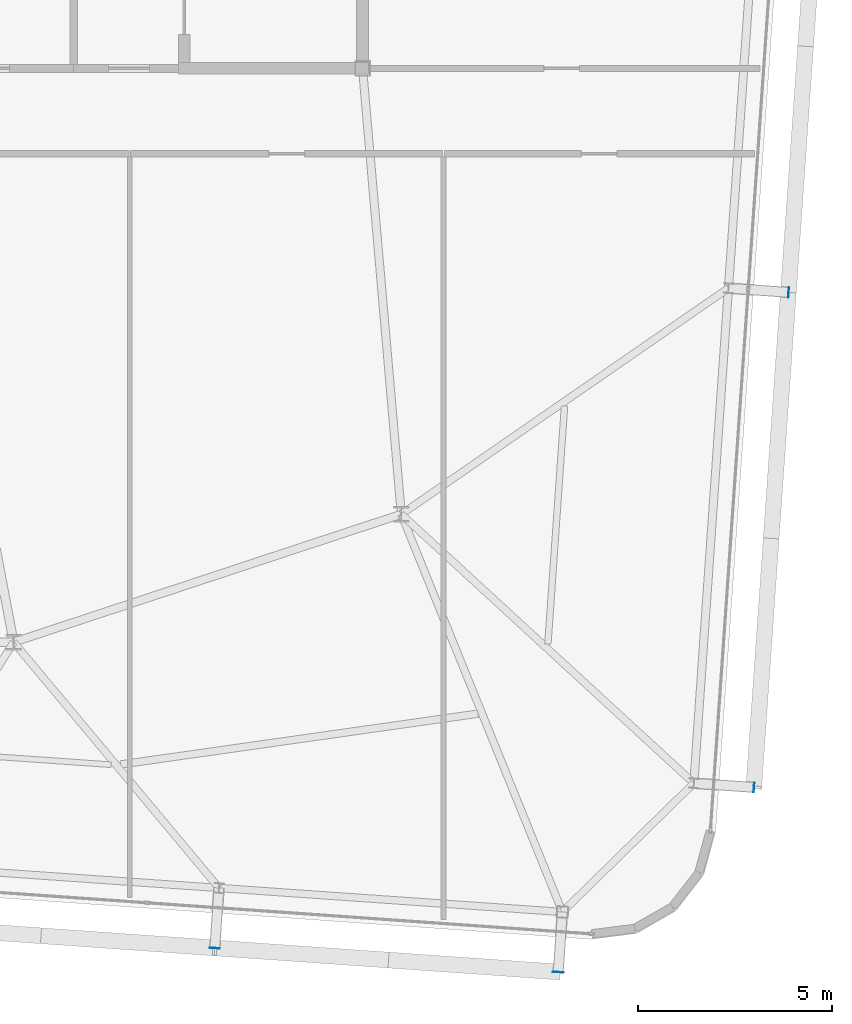
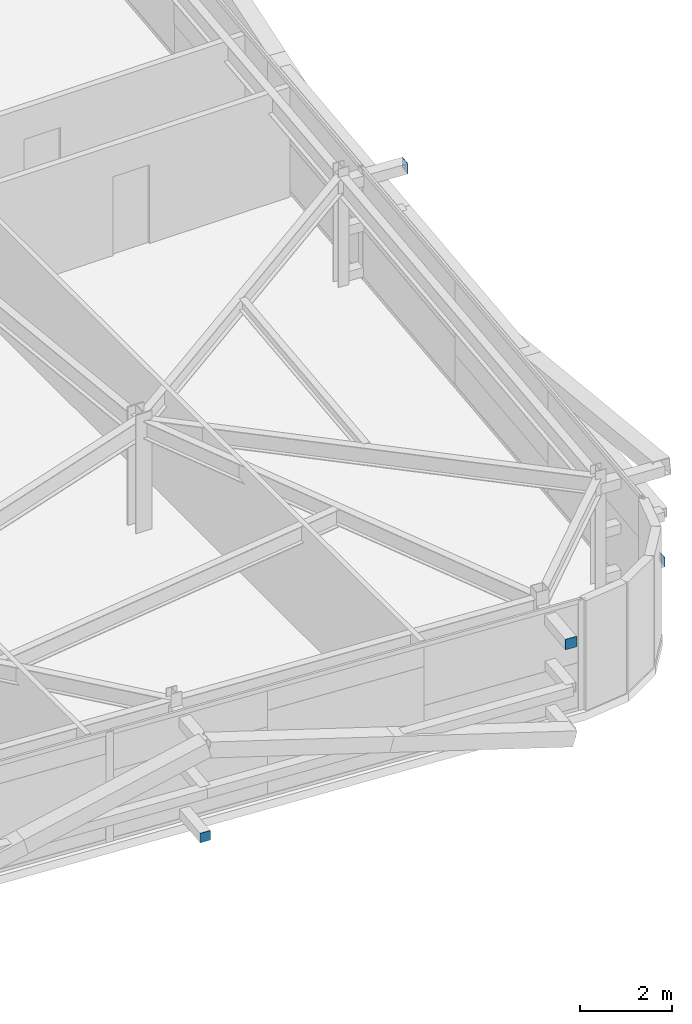
# One storey, part 30 of 39: 4 plates.
"""IFC4 building model written with IfcOpenShell, lengths in metres."""

from ifc_helpers import new_model, si_unit, direction, frame, origin, origin_2d, place, context, subcontext, project, spatial, rectangle, extrude, source, transform, mapped, material, layer, layer_set, type_object, element, save


model = new_model("IFC4")

# Units and contexts
model_context = context("Model", 3, precision=1e-05, world=origin(), true_north=direction((0.0, 1.0)))
body_context = subcontext(model_context, "Body", "Model", "MODEL_VIEW")
ifc_project = project(units=[si_unit("LENGTHUNIT", "METRE"), si_unit("AREAUNIT", "SQUARE_METRE"), si_unit("VOLUMEUNIT", "CUBIC_METRE"), si_unit("PLANEANGLEUNIT", "RADIAN"), si_unit("MASSUNIT", "GRAM", prefix="KILO")], contexts=[model_context])

# Site, building, storey
site_placement = place(None, origin())
site = spatial("IfcSite", under=ifc_project, at=site_placement, CompositionType="ELEMENT")
building_placement = place(site_placement, origin())
building = spatial("IfcBuilding", under=site, at=building_placement, Name="Taldren Reach Tower", CompositionType="ELEMENT")
storey_placement = place(building_placement, frame((0.0, 0.0, 148.75)))
storey = spatial("IfcBuildingStorey", under=building, at=storey_placement, Name="L45", CompositionType="ELEMENT", Elevation=148.75)

# Plates
ifc_material_1 = material(Name="Steel Gr 450 (C450L0)", Category="steel")
ifc_layer_1 = layer(ifc_material_1, 0.011962890625)
ifc_layer_set_1 = layer_set([ifc_layer_1], Name="Steel Gr 450 (C450L0)")
plate_type_1 = type_object("IfcPlateType", Name="PL-CAP-275", PredefinedType="SHEET", material=ifc_layer_set_1)
shared_shape_1 = source(origin(), body_context, "Body", "SweptSolid", [
    extrude(rectangle(XDim=0.27490234375, YDim=0.011962890625, at=origin_2d()), origin(), (0.0, 0.0, 1.0), 0.27490234375),
])
plate_1_placement = place(storey_placement, frame((56.046875, 0.68896484375, 2.512451171875), z_axis=(0.0, 0.0, 1.0), x_axis=(0.99756405026, -0.069756473744, 0.0)))
element("IfcPlate", 1, at=plate_1_placement, inside=storey, type_object=plate_type_1, Name="Tie strut end cap plate B3-S6 L45", PredefinedType="SHEET", context=body_context, shape_type="MappedRepresentation", body=[
    mapped(shared_shape_1, transform((0.0, 0.0, 0.0), scale=1.0)),
])
shared_shape_2 = source(origin(), body_context, "Body", "SweptSolid", [
    extrude(rectangle(XDim=0.011962890625, YDim=0.27490234375, at=origin_2d()), origin(), (0.0, 0.0, 1.0), 0.27490234375),
])
plate_2_placement = place(storey_placement, frame((61.990478515625, 18.22314453125, 2.512451171875), z_axis=(0.0, 0.0, 1.0), x_axis=(0.99756405026, -0.069756473744, 0.0)))
element("IfcPlate", 2, at=plate_2_placement, inside=storey, type_object=plate_type_1, Name="Tie strut end cap plate B3-E2 L45", PredefinedType="SHEET", context=body_context, shape_type="MappedRepresentation", body=[
    mapped(shared_shape_2, transform((0.0, 0.0, 0.0), scale=1.0)),
])
ifc_material_2 = material(Name="Steel Gr 350 (C350L0)", Category="steel")
ifc_layer_2 = layer(ifc_material_2, 0.011962890625)
ifc_layer_set_2 = layer_set([ifc_layer_2], Name="Steel Gr 350 (C350L0)")
plate_type_2 = type_object("IfcPlateType", Name="PL-CAP-250", PredefinedType="SHEET", material=ifc_layer_set_2)
shared_shape_3 = source(origin(), body_context, "Body", "SweptSolid", [
    extrude(rectangle(XDim=0.25, YDim=0.011962890625, at=origin_2d()), origin(), (0.0, 0.0, 1.0), 0.25),
])
plate_3_placement = place(storey_placement, frame((47.1884765625, 1.308349609375, 0.094970703125), z_axis=(0.0, 0.0, 1.0), x_axis=(0.99756405026, -0.069756473744, 0.0)))
element("IfcPlate", 3, at=plate_3_placement, inside=storey, type_object=plate_type_2, Name="Tie strut end cap plate B3-S5 L45", PredefinedType="SHEET", context=body_context, shape_type="MappedRepresentation", body=[
    mapped(shared_shape_3, transform((0.0, 0.0, 0.0), scale=1.0)),
])
shared_shape_4 = source(origin(), body_context, "Body", "SweptSolid", [
    extrude(rectangle(XDim=0.011962890625, YDim=0.25, at=origin_2d()), origin(), (0.0, 0.0, 1.0), 0.25),
])
plate_4_placement = place(storey_placement, frame((61.09765625, 5.454345703125, 0.094970703125), z_axis=(0.0, 0.0, 1.0), x_axis=(0.99756405026, -0.069756473744, 0.0)))
element("IfcPlate", 4, at=plate_4_placement, inside=storey, type_object=plate_type_2, Name="Tie strut end cap plate B3-E1 L45", PredefinedType="SHEET", context=body_context, shape_type="MappedRepresentation", body=[
    mapped(shared_shape_4, transform((0.0, 0.0, 0.0), scale=1.0)),
])

save(model, "model.ifc")
